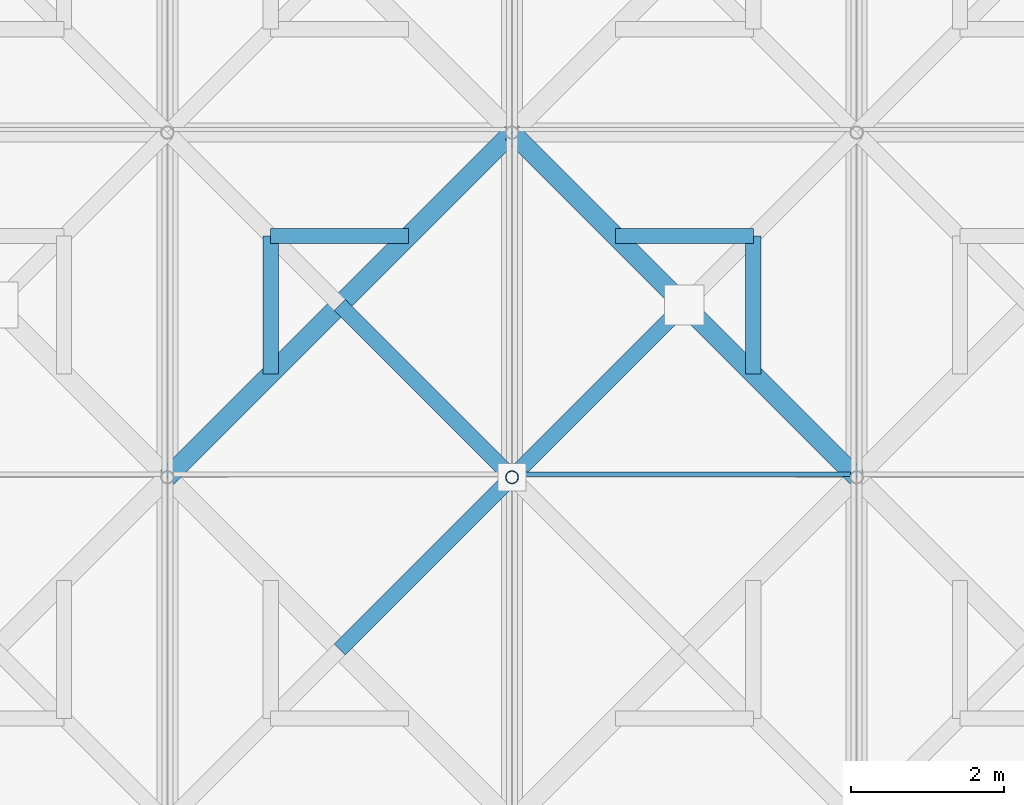
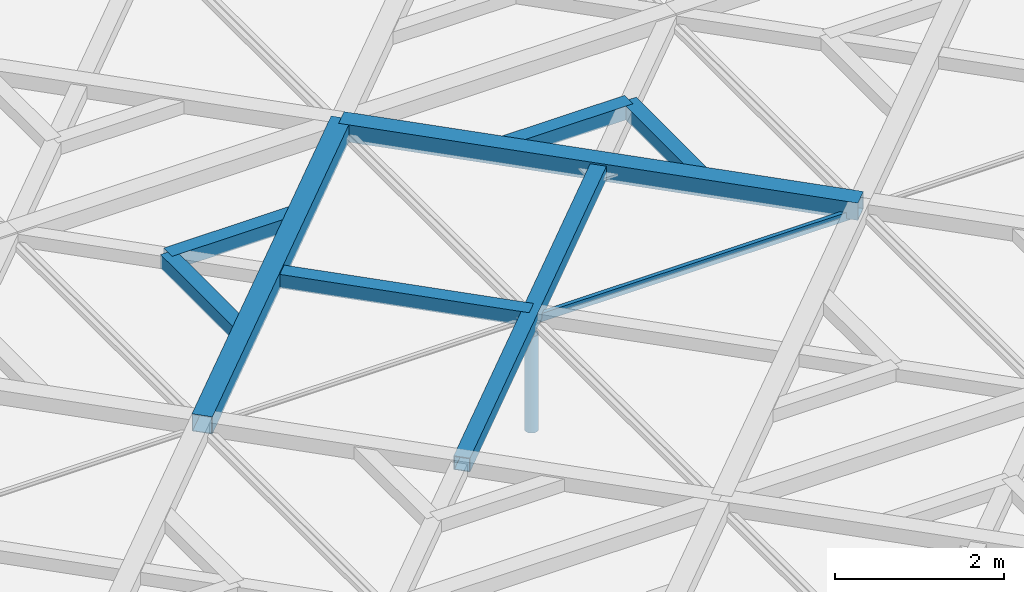
# One storey, part 29 of 80: 10 members, 1 element without a shape of its own.
"""IFC4 building model written with IfcOpenShell, lengths in metres."""

from ifc_helpers import new_model, si_unit, direction, frame, origin, origin_2d, place, context, subcontext, project, spatial, rectangle, hollow_rectangle, hollow_circle, extrude, material, material_profile, profile_set, type_object, element, aggregate, save


model = new_model("IFC4")

# Units and contexts
model_context = context("Model", 3, precision=1e-05, world=origin(), true_north=direction((0.0, 1.0)))
body_context = subcontext(model_context, "Body", "Model", "MODEL_VIEW")
ifc_project = project(units=[si_unit("LENGTHUNIT", "METRE"), si_unit("AREAUNIT", "SQUARE_METRE"), si_unit("VOLUMEUNIT", "CUBIC_METRE"), si_unit("PLANEANGLEUNIT", "RADIAN"), si_unit("MASSUNIT", "GRAM", prefix="KILO"), si_unit("THERMODYNAMICTEMPERATUREUNIT", "KELVIN"), si_unit("POWERUNIT", "WATT")], contexts=[model_context])

# Site, building, storey
site_placement = place(None, origin())
site = spatial("IfcSite", under=ifc_project, at=site_placement, CompositionType="ELEMENT")
building_placement = place(site_placement, origin())
building = spatial("IfcBuilding", under=site, at=building_placement, Name="Tallowbark Science Centre", CompositionType="ELEMENT")
storey_placement = place(building_placement, frame((0.0, 0.0, 25.949951171875)))
storey = spatial("IfcBuildingStorey", under=building, at=storey_placement, Name="ROOF", CompositionType="ELEMENT", Elevation=25.949951171875)

# Curtain wall, member
ifc_material_1 = material(Name="Blue-Tinted Laminated Low-E Skylight Glass", Category="glass")
curtain_wall_type = type_object("IfcCurtainWallType", Name="CW-SKY-ROOF", PredefinedType="NOTDEFINED", material=ifc_material_1)
curtain_wall_placement = place(storey_placement, origin())
curtain_wall = element("IfcCurtainWall", 1, at=curtain_wall_placement, inside=storey, type_object=curtain_wall_type, Name="Exhibition Star-Screen Skylight Bay 5", PredefinedType="NOTDEFINED")
ifc_material_2 = material(Name="Anodised Architectural Aluminium Alloy 6063-T6", Category="aluminium")
ifc_material_profile_1 = material_profile(ifc_material_2, rectangle(XDim=0.054931640625, YDim=0.1201171875, at=origin_2d()), Name="ALU55x120")
ifc_profile_set_1 = profile_set([ifc_material_profile_1], Name="Anodised Architectural Aluminium Alloy 6063-T6")
member_type_1 = type_object("IfcMemberType", Name="CWM-SKY-TRN", PredefinedType="USERDEFINED", material=ifc_profile_set_1)
member_1_placement = place(storey_placement, frame((72.080078125, 27.0400390625, 0.35205078125), z_axis=(1.0, 0.0, 0.0), x_axis=(0.0, 1.0, 0.0)))
member_1 = element("IfcMember", 2, at=member_1_placement, type_object=member_type_1, Name="Skylight Bay 5 Transom 7", ObjectType="TRANSOM", PredefinedType="USERDEFINED", context=body_context, shape_type="SweptSolid", body=[
    extrude(rectangle(XDim=0.054931640625, YDim=0.1201171875, at=origin_2d()), origin(), (0.0, 0.0, 1.0), 4.33984375),
])
aggregate(curtain_wall, [member_1])

# Members
ifc_material_3 = material(Name="White Architectural Painted Steel Grade C350L0 (350 MPa)", Category="steel")
ifc_material_profile_2 = material_profile(ifc_material_3, hollow_rectangle(XDim=0.25, YDim=0.25, WallThickness=0.009033203125, at=origin_2d()), Name="250x250x9.0SHS")
ifc_profile_set_2 = profile_set([ifc_material_profile_2], Name="White Architectural Painted Steel Grade C350L0 (350 MPa)")
member_type_2 = type_object("IfcMemberType", Name="SCR-CHD200", PredefinedType="CHORD", material=ifc_profile_set_2)
for number, where, z_axis, x_axis, name in (
    (3, (76.5, 27.0, 0.449951171875), (-0.707106781187, 0.707106781187, 0.0), (-0.707106781187, -0.707106781187, 0.0), "Star Screen Octagram Diamond Chord TOP-60-2"),
    (4, (72.0, 31.5, 0.449951171875), (-0.707106781187, -0.707106781187, 0.0), (0.707106781187, -0.707106781187, 0.0), "Star Screen Octagram Diamond Chord TOP-60-3"),
):
    element("IfcMember", number, at=place(storey_placement, frame(where, z_axis=z_axis, x_axis=x_axis)), inside=storey, type_object=member_type_2, Name=name, PredefinedType="CHORD", context=body_context, shape_type="SweptSolid", body=[
        extrude(hollow_rectangle(XDim=0.25, YDim=0.25, WallThickness=0.009033203125, at=origin_2d()), origin(), (0.0, 0.0, 1.0), 6.364013671875),
    ])
ifc_material_profile_3 = material_profile(ifc_material_3, hollow_rectangle(XDim=0.199951171875, YDim=0.199951171875, WallThickness=0.009033203125, at=origin_2d()), Name="200x200x9.0SHS")
ifc_profile_set_3 = profile_set([ifc_material_profile_3], Name="White Architectural Painted Steel Grade C350L0 (350 MPa)")
member_type_3 = type_object("IfcMemberType", Name="SCR-STAR139", PredefinedType="BRACE", material=ifc_profile_set_3)
member_2_placement = place(storey_placement, frame((69.75, 24.75, 0.449951171875), z_axis=(0.707106781187, 0.707106781187, 0.0), x_axis=(-0.707106781187, 0.707106781187, 0.0)))
element("IfcMember", 5, at=member_2_placement, inside=storey, type_object=member_type_3, Name="Star Screen Continuous X-Diagonal D1M TOP-60", PredefinedType="BRACE", context=body_context, shape_type="SweptSolid", body=[
    extrude(hollow_rectangle(XDim=0.199951171875, YDim=0.199951171875, WallThickness=0.009033203125, at=origin_2d()), origin(), (0.0, 0.0, 1.0), 6.364013671875),
])
member_3_placement = place(storey_placement, frame((69.75, 29.25, 0.449951171875), z_axis=(0.707106781187, -0.707106781187, 0.0), x_axis=(0.707106781187, 0.707106781187, 0.0)))
element("IfcMember", 6, at=member_3_placement, inside=storey, type_object=member_type_3, Name="Star Screen Split X-Diagonal D2B TOP-60", PredefinedType="BRACE", context=body_context, shape_type="SweptSolid", body=[
    extrude(hollow_rectangle(XDim=0.199951171875, YDim=0.199951171875, WallThickness=0.009033203125, at=origin_2d()), origin(), (0.0, 0.0, 1.0), 3.181884765625),
])
ifc_material_profile_4 = material_profile(ifc_material_3, hollow_rectangle(XDim=0.199951171875, YDim=0.199951171875, WallThickness=0.009033203125, at=origin_2d()), Name="200x200x9.0SHS")
ifc_profile_set_4 = profile_set([ifc_material_profile_4], Name="White Architectural Painted Steel Grade C350L0 (350 MPa)")
member_type_4 = type_object("IfcMemberType", Name="SCR-SUB150", PredefinedType="BRACE", material=ifc_profile_set_4)
for number, where, z_axis, x_axis, name in (
    (7, (75.14990234375, 30.14990234375, 0.449951171875), (-1.0, 0.0, 0.0), (0.0, -1.0, 0.0), "Star Screen Octagram Point Ray TOP-60-5"),
    (8, (75.14990234375, 30.14990234375, 0.449951171875), (0.0, -1.0, 0.0), (1.0, 0.0, 0.0), "Star Screen Octagram Point Ray TOP-60-6"),
    (9, (68.85009765625, 30.14990234375, 0.449951171875), (1.0, 0.0, 0.0), (0.0, 1.0, 0.0), "Star Screen Octagram Point Ray TOP-60-7"),
    (10, (68.85009765625, 30.14990234375, 0.449951171875), (0.0, -1.0, 0.0), (1.0, 0.0, 0.0), "Star Screen Octagram Point Ray TOP-60-8"),
):
    element("IfcMember", number, at=place(storey_placement, frame(where, z_axis=z_axis, x_axis=x_axis)), inside=storey, type_object=member_type_4, Name=name, PredefinedType="BRACE", context=body_context, shape_type="SweptSolid", body=[
        extrude(hollow_rectangle(XDim=0.199951171875, YDim=0.199951171875, WallThickness=0.009033203125, at=origin_2d()), origin(), (0.0, 0.0, 1.0), 1.7998046875),
    ])
ifc_material_profile_5 = material_profile(ifc_material_3, hollow_circle(Radius=0.084228515625, WallThickness=0.007080078125, at=origin_2d()), Name="168.3x7.1CHS")
ifc_profile_set_5 = profile_set([ifc_material_profile_5], Name="White Architectural Painted Steel Grade C350L0 (350 MPa)")
member_type_5 = type_object("IfcMemberType", Name="TR-WEB168", PredefinedType="BRACE", material=ifc_profile_set_5)
member_4_placement = place(storey_placement, frame((72.0, 27.0, -1.199951171875), z_axis=(0.0, 0.0, 1.0), x_axis=(1.0, 0.0, 0.0)))
element("IfcMember", 11, at=member_4_placement, inside=storey, type_object=member_type_5, Name="Exhibition Roof Truss Web 4-27", PredefinedType="BRACE", context=body_context, shape_type="SweptSolid", body=[
    extrude(hollow_circle(Radius=0.084228515625, WallThickness=0.007080078125, at=origin_2d()), origin(), (0.0, 0.0, 1.0), 1.389892578125),
])

save(model, "model.ifc")
